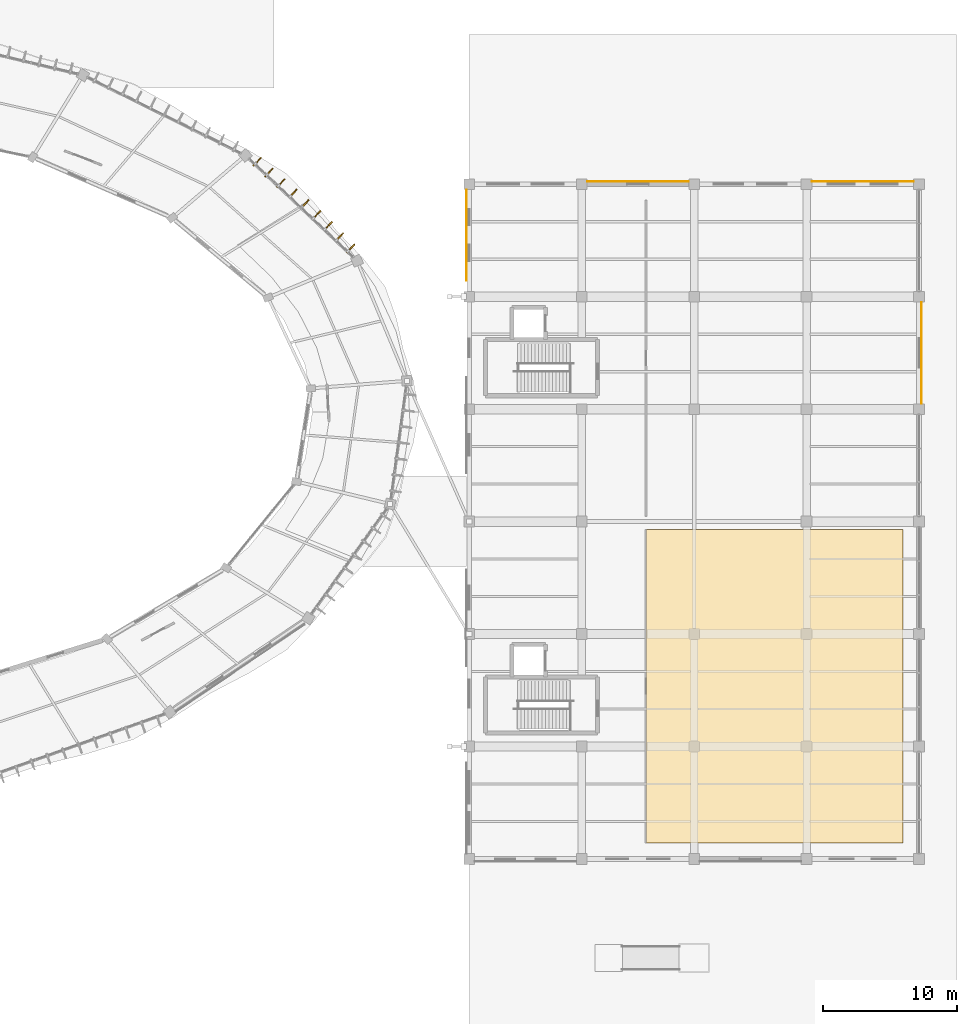
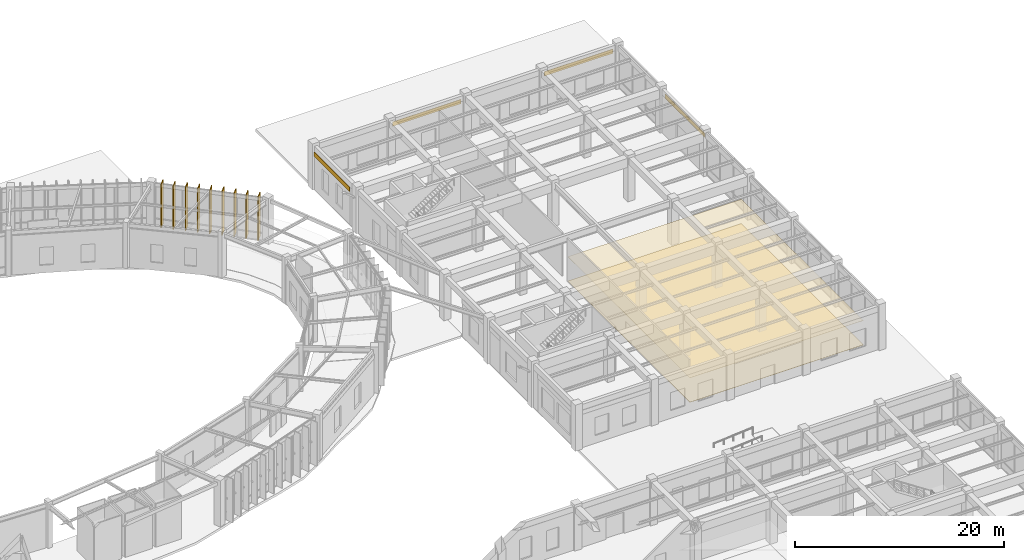
# One storey, part 156 of 157: 9 shading devices, 6 coverings.
"""IFC4 building model written with IfcOpenShell, lengths in metres."""

from ifc_helpers import new_model, si_unit, direction, frame, origin, origin_2d, place, context, subcontext, project, spatial, polyline, rectangle, outline, extrude, material, layer, layer_set, type_object, element, save


model = new_model("IFC4")

# Units and contexts
model_context = context("Model", 3, precision=1e-05, world=origin(), true_north=direction((0.0, 1.0)))
body_context = subcontext(model_context, "Body", "Model", "MODEL_VIEW")
ifc_project = project(units=[si_unit("LENGTHUNIT", "METRE"), si_unit("AREAUNIT", "SQUARE_METRE"), si_unit("VOLUMEUNIT", "CUBIC_METRE"), si_unit("PLANEANGLEUNIT", "RADIAN"), si_unit("MASSUNIT", "GRAM", prefix="KILO"), si_unit("THERMODYNAMICTEMPERATUREUNIT", "KELVIN"), si_unit("POWERUNIT", "WATT")], contexts=[model_context])

# Site, building, storey
site_placement = place(None, origin())
site = spatial("IfcSite", under=ifc_project, at=site_placement, CompositionType="ELEMENT")
building_placement = place(site_placement, origin())
building = spatial("IfcBuilding", under=site, at=building_placement, Name="Darbajah Civic Hall", CompositionType="ELEMENT")
storey_placement = place(building_placement, origin())
storey = spatial("IfcBuildingStorey", under=building, at=storey_placement, Name="L00", CompositionType="ELEMENT", Elevation=0.0)

# Coverings
ifc_material_1 = material(Name="Honed Qatari Limestone Terrazzo", Category="masonry")
ifc_layer_1 = layer(ifc_material_1, 0.030029296875, Name="Honed Qatari Limestone Terrazzo")
ifc_layer_set_1 = layer_set([ifc_layer_1], Name="Honed Qatari Limestone Terrazzo")
covering_type_1 = type_object("IfcCoveringType", Name="Honed Qatari Limestone Terrazzo Flooring", PredefinedType="FLOORING", material=ifc_layer_set_1)
covering_1_placement = place(storey_placement, origin())
element("IfcCovering", 1, at=covering_1_placement, inside=storey, type_object=covering_type_1, Name="L00 stone terrazzo flooring L00-V4-01", PredefinedType="FLOORING", context=body_context, shape_type="SweptSolid", body=[
    extrude(outline(polyline([(157.800048828125, 57.60009765625), (177.0, 57.60009765625), (177.0, 81.0), (157.800048828125, 81.0), (157.800048828125, 57.60009765625)])), origin(), (0.0, 0.0, 1.0), 0.030029296875),
])
ifc_material_2 = material(Name="Qatari Desert Limestone Ashlar", Category="masonry")
ifc_layer_2 = layer(ifc_material_2, 0.044921875, Name="Qatari Desert Limestone Ashlar")
ifc_layer_set_2 = layer_set([ifc_layer_2], Name="Qatari Desert Limestone Ashlar")
covering_type_2 = type_object("IfcCoveringType", Name="Limestone Facade Cladding", PredefinedType="CLADDING", material=ifc_layer_set_2)
covering_2_placement = place(storey_placement, frame((0.0, 0.0, 3.909912109375)))
element("IfcCovering", 2, at=covering_2_placement, inside=storey, type_object=covering_type_2, Name="L00 stone frieze cladding EW-V4-L00-S1-B4", PredefinedType="CLADDING", context=body_context, shape_type="SweptSolid", body=[
    extrude(outline(polyline([(178.3701171875, 90.402099609375), (178.3701171875, 97.998046875), (178.4150390625, 97.998046875), (178.4150390625, 90.402099609375), (178.3701171875, 90.402099609375)])), origin(), (0.0, 0.0, 1.0), 0.5),
])
covering_3_placement = place(storey_placement, frame((0.0, 0.0, 3.909912109375)))
element("IfcCovering", 3, at=covering_3_placement, inside=storey, type_object=covering_type_2, Name="L00 stone frieze cladding EW-V4-L00-S2-B0", PredefinedType="CLADDING", context=body_context, shape_type="SweptSolid", body=[
    extrude(outline(polyline([(177.798095703125, 106.969970703125), (170.201904296875, 106.969970703125), (170.201904296875, 107.014892578125), (177.798095703125, 107.014892578125), (177.798095703125, 106.969970703125)])), origin(), (0.0, 0.0, 1.0), 0.5),
])
covering_4_placement = place(storey_placement, frame((0.0, 0.0, 3.909912109375)))
element("IfcCovering", 4, at=covering_4_placement, inside=storey, type_object=covering_type_2, Name="L00 stone frieze cladding EW-V4-L00-S2-B2", PredefinedType="CLADDING", context=body_context, shape_type="SweptSolid", body=[
    extrude(outline(polyline([(160.998046875, 106.969970703125), (153.402099609375, 106.969970703125), (153.402099609375, 107.014892578125), (160.998046875, 107.014892578125), (160.998046875, 106.969970703125)])), origin(), (0.0, 0.0, 1.0), 0.5),
])
covering_5_placement = place(storey_placement, frame((0.0, 0.0, 3.909912109375)))
element("IfcCovering", 5, at=covering_5_placement, inside=storey, type_object=covering_type_2, Name="L00 stone frieze cladding EW-V4-L00-S3-B0", PredefinedType="CLADDING", context=body_context, shape_type="SweptSolid", body=[
    extrude(outline(polyline([(144.429931640625, 106.39794921875), (144.429931640625, 99.60009765625), (144.385009765625, 99.60009765625), (144.385009765625, 106.39794921875), (144.429931640625, 106.39794921875)])), origin(), (0.0, 0.0, 1.0), 0.5),
])
ifc_material_3 = material(Name="Perforated Acoustic Gypsum Board")
ifc_layer_3 = layer(ifc_material_3, 0.02490234375, Name="Perforated Acoustic Gypsum Board")
ifc_layer_set_3 = layer_set([ifc_layer_3], Name="Perforated Acoustic Gypsum Board")
covering_type_3 = type_object("IfcCoveringType", Name="Perforated Acoustic Gypsum Ceiling", PredefinedType="CEILING", material=ifc_layer_set_3)
covering_6_placement = place(storey_placement, frame((0.0, 0.0, 2.85009765625)))
element("IfcCovering", 6, at=covering_6_placement, inside=storey, type_object=covering_type_3, Name="L00 acoustic suspended ceiling L00-V4-01", PredefinedType="CEILING", context=body_context, shape_type="SweptSolid", body=[
    extrude(outline(polyline([(157.800048828125, 57.60009765625), (177.0, 57.60009765625), (177.0, 81.0), (157.800048828125, 81.0), (157.800048828125, 57.60009765625)])), origin(), (0.0, 0.0, 1.0), 0.02490234375),
])

# Shading devices
ifc_material_4 = material(Name="Bronze Anodised Aluminium and Teak Composite", Category="aluminium")
shading_device_type = type_object("IfcShadingDeviceType", Name="Vertical Bronze Timber Shading Fin", PredefinedType="USERDEFINED", material=ifc_material_4)
for number, where, z_axis, x_axis, name in (
    (7, (135.740478515625, 101.99951171875, 0.0), (0.0, 0.0, 1.0), (0.686453193248, 0.727173991201, 0.0), "L00 vertical shading fin VF-01-1"),
    (8, (134.908935546875, 102.852294921875, 0.0), (0.0, 0.0, 1.0), (0.686453193248, 0.727173991201, 0.0), "L00 vertical shading fin VF-01-2"),
    (9, (134.06640625, 103.693359375, 0.0), (0.0, 0.0, 1.0), (0.686453193248, 0.727173991201, 0.0), "L00 vertical shading fin VF-01-3"),
    (10, (133.207275390625, 104.51708984375, 0.0), (0.0, 0.0, 1.0), (0.686453193248, 0.727173991201, 0.0), "L00 vertical shading fin VF-01-4"),
    (11, (132.3291015625, 105.320556640625, 0.0), (0.0, 0.0, 1.0), (0.686453193248, 0.727173991201, 0.0), "L00 vertical shading fin VF-01-5"),
    (12, (131.43359375, 106.105224609375, 0.0), (0.0, 0.0, 1.0), (0.686453193248, 0.727173991201, 0.0), "L00 vertical shading fin VF-01-6"),
    (13, (130.52587890625, 106.87744140625, 0.0), (0.0, 0.0, 1.0), (0.686453193248, 0.727173991201, 0.0), "L00 vertical shading fin VF-01-7"),
    (14, (129.635009765625, 107.667236328125, 0.0), (0.0, 0.0, 1.0), (0.686453193248, 0.727173991201, 0.0), "L00 vertical shading fin VF-01-8"),
    (15, (128.76953125, 108.484130859375, 0.0), (0.0, 0.0, 1.0), (0.686453193248, 0.727173991201, 0.0), "L00 vertical shading fin VF-01-9"),
):
    element("IfcShadingDevice", number, at=place(storey_placement, frame(where, z_axis=z_axis, x_axis=x_axis)), inside=storey, type_object=shading_device_type, Name=name, ObjectType="VERTICAL FIN", PredefinedType="USERDEFINED", context=body_context, shape_type="SweptSolid", body=[
        extrude(rectangle(XDim=0.85009765625, YDim=0.090087890625, at=origin_2d()), origin(), (0.0, 0.0, 1.0), 5.1201171875),
    ])

save(model, "model.ifc")
